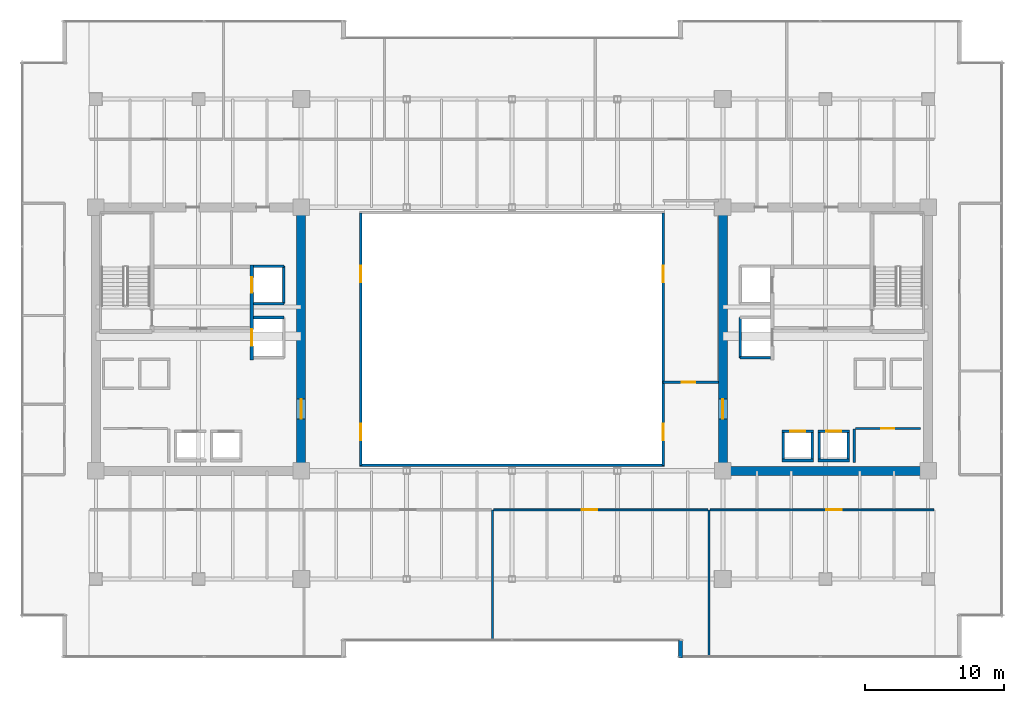
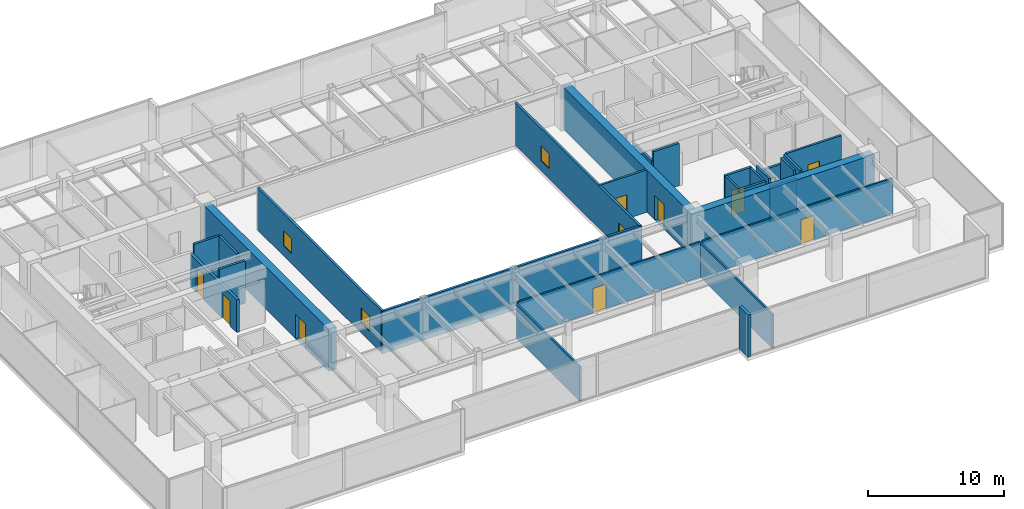
# One storey, part 26 of 34: 29 walls, 10 doors, 4 windows, 14 openings.
"""IFC4 building model written with IfcOpenShell, lengths in metres."""

from ifc_helpers import new_model, si_unit, direction, frame, frame_2d, origin, place, context, subcontext, project, spatial, rectangle, extrude, source, transform, mapped, material, layer, layer_set, type_object, type_shapes, element, fill, save


model = new_model("IFC4")

# Units and contexts
model_context = context("Model", 3, precision=1e-05, world=origin(), true_north=direction((0.0, 1.0)))
body_context = subcontext(model_context, "Body", "Model", "MODEL_VIEW")
ifc_project = project(units=[si_unit("LENGTHUNIT", "METRE"), si_unit("AREAUNIT", "SQUARE_METRE"), si_unit("VOLUMEUNIT", "CUBIC_METRE"), si_unit("PLANEANGLEUNIT", "RADIAN"), si_unit("MASSUNIT", "GRAM", prefix="KILO")], contexts=[model_context])

# Site, building, storey
site_placement = place(None, origin())
site = spatial("IfcSite", under=ifc_project, at=site_placement, CompositionType="ELEMENT")
building_placement = place(site_placement, origin())
building = spatial("IfcBuilding", under=site, at=building_placement, Name="Haelvirn Gate Laboratories", CompositionType="ELEMENT")
storey_placement = place(building_placement, frame((0.0, 0.0, 178.89990234375)))
storey = spatial("IfcBuildingStorey", under=building, at=storey_placement, Name="L43", CompositionType="ELEMENT", Elevation=178.89990234375)

# Walls
ifc_material_1 = material(Name="Thermally-broken bronze aluminium rainscreen & mineral wool", Category="aluminium")
ifc_layer_1 = layer(ifc_material_1, 0.280029296875, Name="EW-TERR-280")
ifc_layer_set_1 = layer_set([ifc_layer_1], Name="Thermally-broken bronze aluminium rainscreen & mineral wool")
wall_type_1 = type_object("IfcWallType", Name="EW-TERR-280", PredefinedType="STANDARD", material=ifc_layer_set_1)
wall_1_placement = place(storey_placement, frame((49.5400390625, 2.587890625, 0.0), z_axis=(0.0, 0.0, 1.0), x_axis=(0.0, -1.0, 0.0)))
element("IfcWall", 1, at=wall_1_placement, inside=storey, type_object=wall_type_1, Name="L43 Atrium Recess Bronze Return Wall 03", PredefinedType="STANDARD", context=body_context, shape_type="SweptSolid", body=[
    extrude(rectangle(XDim=1.287841796875, YDim=0.280029296875, at=frame_2d((0.64404296875, 0.0))), origin(), (0.0, 0.0, 1.0), 3.7900390625),
])
ifc_material_2 = material(Name="Double-layer acoustic gypsum laboratory partition", Category="gypsum")
ifc_layer_2 = layer(ifc_material_2, 0.159912109375, Name="IW-ACOUST-160")
ifc_layer_set_2 = layer_set([ifc_layer_2], Name="Double-layer acoustic gypsum laboratory partition")
wall_type_2 = type_object("IfcWallType", Name="IW-ACOUST-160", PredefinedType="PARTITIONING", material=ifc_layer_set_2)
wall_2_placement = place(storey_placement, frame((36.0, 2.610107421875, 0.0), z_axis=(0.0, 0.0, 1.0), x_axis=(0.0, 1.0, 0.0)))
element("IfcWall", 2, at=wall_2_placement, inside=storey, type_object=wall_type_2, Name="L43 Interior Wall IW-L43-SDIV-02", PredefinedType="PARTITIONING", context=body_context, shape_type="SweptSolid", body=[
    extrude(rectangle(XDim=9.3798828125, YDim=0.159912109375, at=frame_2d((4.68994140625, 0.0))), origin(), (0.0, 0.0, 1.0), 3.0751953125),
])
wall_3_placement = place(storey_placement, frame((51.60009765625, 1.409912109375, 0.0), z_axis=(0.0, 0.0, 1.0), x_axis=(0.0, 1.0, 0.0)))
element("IfcWall", 3, at=wall_3_placement, inside=storey, type_object=wall_type_2, Name="L43 Interior Wall IW-L43-SDIV-03", PredefinedType="PARTITIONING", context=body_context, shape_type="SweptSolid", body=[
    extrude(rectangle(XDim=10.580078125, YDim=0.159912109375, at=frame_2d((5.2900390625, 0.0))), origin(), (0.0, 0.0, 1.0), 3.0751953125),
])

# Wall, opening, door
ifc_material_3 = material(Name="Fire-rated acoustic gypsum board partition", Category="gypsum")
ifc_layer_3 = layer(ifc_material_3, 0.175048828125, Name="IW-ACOUST-180")
ifc_layer_set_3 = layer_set([ifc_layer_3], Name="Fire-rated acoustic gypsum board partition")
wall_type_3 = type_object("IfcWallType", Name="IW-ACOUST-180", PredefinedType="PARTITIONING", material=ifc_layer_set_3)
wall_4_placement = place(storey_placement, frame((48.300048828125, 21.179931640625, 0.0), z_axis=(0.0, 0.0, 1.0), x_axis=(1.0, 0.0, 0.0)))
wall_4 = element("IfcWall", 4, at=wall_4_placement, inside=storey, type_object=wall_type_3, Name="L43 Interior Wall IW-L43-ASEM-S", PredefinedType="PARTITIONING", context=body_context, shape_type="SweptSolid", body=[
    extrude(rectangle(XDim=3.974853515625, YDim=0.175048828125, at=frame_2d((1.9873046875, 0.0))), origin(), (0.0, 0.0, 1.0), 3.7900390625),
])
opening_1_placement = place(wall_4_placement, frame((1.35009765625, 0.0, 0.0)))
opening_1 = element("IfcOpeningElement", 5, at=opening_1_placement, cuts=wall_4, Name="Opening FD4", PredefinedType="OPENING", context=body_context, shape_type="SweptSolid", body=[
    extrude(rectangle(XDim=0.949951171875, YDim=2.14990234375, at=frame_2d((0.47509765625, 1.074951171875))), frame((0.0, 0.09765625, 0.0), z_axis=(0.0, -1.0, 0.0), x_axis=(1.0, 0.0, 0.0)), (0.0, 0.0, 1.0), 0.195068359375),
])
ifc_material_4 = material(Name="Fire-rated steel SM355 core service door", Category="steel")
door_type_1 = type_object("IfcDoorType", Name="DR-FD-950", OperationType="NOTDEFINED", PredefinedType="DOOR", material=ifc_material_4)
shared_shape_1 = source(origin(), body_context, "Body", "SweptSolid", [
    extrude(rectangle(XDim=0.949951171875, YDim=2.14990234375, at=frame_2d((0.47509765625, 1.074951171875))), frame((0.0, 0.02490234375, 0.0), z_axis=(0.0, -1.0, 0.0), x_axis=(1.0, 0.0, 0.0)), (0.0, 0.0, 1.0), 0.050048828125),
])
type_shapes(door_type_1, [shared_shape_1])
door_1_placement = place(opening_1_placement, origin())
door_1 = element("IfcDoor", 6, at=door_1_placement, inside=storey, type_object=door_type_1, Name="L43 Atrium Bioinformatics Suite Door", OperationType="SINGLE_SWING_LEFT", OverallHeight=2.14990234375, OverallWidth=0.949951171875, PredefinedType="DOOR", context=body_context, shape_type="MappedRepresentation", body=[
    mapped(shared_shape_1, transform((0.0, 0.0, 0.0), scale=1.0)),
])
fill(opening_1, door_1)

# Wall, openings, windows
ifc_material_5 = material(Name="Tempered fire-rated borosilicate glass & anodised aluminium", Category="aluminium")
ifc_layer_4 = layer(ifc_material_5, 0.195068359375, Name="IW-GLAZ-200")
ifc_layer_set_4 = layer_set([ifc_layer_4], Name="Tempered fire-rated borosilicate glass & anodised aluminium")
wall_type_4 = type_object("IfcWallType", Name="IW-GLAZ-200", PredefinedType="SOLIDWALL", material=ifc_layer_set_4)
wall_5_placement = place(storey_placement, frame((26.5, 15.199951171875, 0.0), z_axis=(0.0, 0.0, 1.0), x_axis=(0.0, 1.0, 0.0)))
wall_5 = element("IfcWall", 7, at=wall_5_placement, inside=storey, type_object=wall_type_4, Name="L43 Interior Wall IW-L43-ATRIUM-W", PredefinedType="SOLIDWALL", context=body_context, shape_type="SweptSolid", body=[
    extrude(rectangle(XDim=18.199951171875, YDim=0.195068359375, at=frame_2d((9.10009765625, 0.0))), origin(), (0.0, 0.0, 1.0), 3.7900390625),
])
opening_2_placement = place(wall_5_placement, frame((1.800048828125, 0.0, 0.89990234375)))
opening_2 = element("IfcOpeningElement", 8, at=opening_2_placement, cuts=wall_5, Name="Opening W6", PredefinedType="OPENING", context=body_context, shape_type="SweptSolid", body=[
    extrude(rectangle(XDim=1.199951171875, YDim=1.35009765625, at=frame_2d((0.60009765625, 0.675048828125))), frame((0.0, 0.107421875, 0.0), z_axis=(0.0, -1.0, 0.0), x_axis=(1.0, 0.0, 0.0)), (0.0, 0.0, 1.0), 0.215087890625),
])
opening_3_placement = place(wall_5_placement, frame((13.199951171875, 0.0, 0.89990234375)))
opening_3 = element("IfcOpeningElement", 9, at=opening_3_placement, cuts=wall_5, Name="Opening W6", PredefinedType="OPENING", context=body_context, shape_type="SweptSolid", body=[
    extrude(rectangle(XDim=1.199951171875, YDim=1.35009765625, at=frame_2d((0.60009765625, 0.675048828125))), frame((0.0, 0.107421875, 0.0), z_axis=(0.0, -1.0, 0.0), x_axis=(1.0, 0.0, 0.0)), (0.0, 0.0, 1.0), 0.215087890625),
])
ifc_material_6 = material(Name="Fire-rated EI 120 borosilicate atrium vision glazing", Category="glass")
window_type = type_object("IfcWindowType", Name="WN-ATR-1200", PartitioningType="SINGLE_PANEL", PredefinedType="WINDOW", material=ifc_material_6)
shared_shape_2 = source(origin(), body_context, "Body", "SweptSolid", [
    extrude(rectangle(XDim=1.199951171875, YDim=1.35009765625, at=frame_2d((0.60009765625, 0.675048828125))), frame((0.0, 0.030029296875, 0.0), z_axis=(0.0, -1.0, 0.0), x_axis=(1.0, 0.0, 0.0)), (0.0, 0.0, 1.0), 0.06005859375),
])
type_shapes(window_type, [shared_shape_2])
window_1_placement = place(opening_2_placement, origin())
window_1 = element("IfcWindow", 10, at=window_1_placement, inside=storey, type_object=window_type, Name="L43 Atrium Observation Window 1", OverallHeight=1.35009765625, OverallWidth=1.199951171875, PartitioningType="SINGLE_PANEL", PredefinedType="WINDOW", context=body_context, shape_type="MappedRepresentation", body=[
    mapped(shared_shape_2, transform((0.0, 0.0, 0.0), scale=1.0)),
])
fill(opening_2, window_1)
window_2_placement = place(opening_3_placement, origin())
window_2 = element("IfcWindow", 11, at=window_2_placement, inside=storey, type_object=window_type, Name="L43 Atrium Observation Window 2", OverallHeight=1.35009765625, OverallWidth=1.199951171875, PartitioningType="SINGLE_PANEL", PredefinedType="WINDOW", context=body_context, shape_type="MappedRepresentation", body=[
    mapped(shared_shape_2, transform((0.0, 0.0, 0.0), scale=1.0)),
])
fill(opening_3, window_2)

wall_6_placement = place(storey_placement, frame((48.300048828125, 15.199951171875, 0.0), z_axis=(0.0, 0.0, 1.0), x_axis=(0.0, 1.0, 0.0)))
wall_6 = element("IfcWall", 12, at=wall_6_placement, inside=storey, type_object=wall_type_4, Name="L43 Interior Wall IW-L43-ATRIUM-E", PredefinedType="SOLIDWALL", context=body_context, shape_type="SweptSolid", body=[
    extrude(rectangle(XDim=18.199951171875, YDim=0.195068359375, at=frame_2d((9.10009765625, 0.0))), origin(), (0.0, 0.0, 1.0), 3.7900390625),
])
opening_4_placement = place(wall_6_placement, frame((1.800048828125, 0.0, 0.89990234375)))
opening_4 = element("IfcOpeningElement", 13, at=opening_4_placement, cuts=wall_6, Name="Opening W6", PredefinedType="OPENING", context=body_context, shape_type="SweptSolid", body=[
    extrude(rectangle(XDim=1.199951171875, YDim=1.35009765625, at=frame_2d((0.60009765625, 0.675048828125))), frame((0.0, 0.107421875, 0.0), z_axis=(0.0, -1.0, 0.0), x_axis=(1.0, 0.0, 0.0)), (0.0, 0.0, 1.0), 0.215087890625),
])
opening_5_placement = place(wall_6_placement, frame((13.199951171875, 0.0, 0.89990234375)))
opening_5 = element("IfcOpeningElement", 14, at=opening_5_placement, cuts=wall_6, Name="Opening W6", PredefinedType="OPENING", context=body_context, shape_type="SweptSolid", body=[
    extrude(rectangle(XDim=1.199951171875, YDim=1.35009765625, at=frame_2d((0.60009765625, 0.675048828125))), frame((0.0, 0.107421875, 0.0), z_axis=(0.0, -1.0, 0.0), x_axis=(1.0, 0.0, 0.0)), (0.0, 0.0, 1.0), 0.215087890625),
])
window_3_placement = place(opening_4_placement, origin())
window_3 = element("IfcWindow", 15, at=window_3_placement, inside=storey, type_object=window_type, Name="L43 Atrium Observation Window 1", OverallHeight=1.35009765625, OverallWidth=1.199951171875, PartitioningType="SINGLE_PANEL", PredefinedType="WINDOW", context=body_context, shape_type="MappedRepresentation", body=[
    mapped(shared_shape_2, transform((0.0, 0.0, 0.0), scale=1.0)),
])
fill(opening_4, window_3)
window_4_placement = place(opening_5_placement, origin())
window_4 = element("IfcWindow", 16, at=window_4_placement, inside=storey, type_object=window_type, Name="L43 Atrium Observation Window 2", OverallHeight=1.35009765625, OverallWidth=1.199951171875, PartitioningType="SINGLE_PANEL", PredefinedType="WINDOW", context=body_context, shape_type="MappedRepresentation", body=[
    mapped(shared_shape_2, transform((0.0, 0.0, 0.0), scale=1.0)),
])
fill(opening_5, window_4)

# Wall
wall_7_placement = place(storey_placement, frame((26.39990234375, 15.199951171875, 0.0), z_axis=(0.0, 0.0, 1.0), x_axis=(1.0, 0.0, 0.0)))
element("IfcWall", 17, at=wall_7_placement, inside=storey, type_object=wall_type_4, Name="L43 Interior Wall IW-L43-ATRIUM-S", PredefinedType="SOLIDWALL", context=body_context, shape_type="SweptSolid", body=[
    extrude(rectangle(XDim=22.0, YDim=0.195068359375, at=frame_2d((11.0, 0.0))), origin(), (0.0, 0.0, 1.0), 3.7900390625),
])

# Wall, opening, door
ifc_material_7 = material(Name="Acoustic mineral-wool gypsum board partition", Category="gypsum")
ifc_layer_5 = layer(ifc_material_7, 0.139892578125, Name="IW-PART-140")
ifc_layer_set_5 = layer_set([ifc_layer_5], Name="Acoustic mineral-wool gypsum board partition")
wall_type_5 = type_object("IfcWallType", Name="IW-PART-140", PredefinedType="PARTITIONING", material=ifc_layer_set_5)
wall_8_placement = place(storey_placement, frame((36.080078125, 11.989990234375, 0.0), z_axis=(0.0, 0.0, 1.0), x_axis=(1.0, 0.0, 0.0)))
wall_8 = element("IfcWall", 18, at=wall_8_placement, inside=storey, type_object=wall_type_5, Name="L43 Interior Wall IW-L43-SCORR-03", PredefinedType="PARTITIONING", context=body_context, shape_type="SweptSolid", body=[
    extrude(rectangle(XDim=15.43994140625, YDim=0.139892578125, at=frame_2d((7.719970703125, 0.0))), origin(), (0.0, 0.0, 1.0), 3.18701171875),
])
opening_6_placement = place(wall_8_placement, frame((6.3515625, 0.0, 0.0)))
opening_6 = element("IfcOpeningElement", 19, at=opening_6_placement, cuts=wall_8, Name="Opening D1", PredefinedType="OPENING", context=body_context, shape_type="SweptSolid", body=[
    extrude(rectangle(XDim=1.10009765625, YDim=2.179931640625, at=frame_2d((0.550048828125, 1.08984375))), frame((0.0, 0.080078125, 0.0), z_axis=(0.0, -1.0, 0.0), x_axis=(1.0, 0.0, 0.0)), (0.0, 0.0, 1.0), 0.159912109375),
])
ifc_material_8 = material(Name="Vision-panel acoustic solid-core timber lab door", Category="wood")
door_type_2 = type_object("IfcDoorType", Name="DR-LAB-1100", OperationType="NOTDEFINED", PredefinedType="DOOR", material=ifc_material_8)
shared_shape_3 = source(origin(), body_context, "Body", "SweptSolid", [
    extrude(rectangle(XDim=1.10009765625, YDim=2.179931640625, at=frame_2d((0.550048828125, 1.08984375))), frame((0.0, 0.02490234375, 0.0), z_axis=(0.0, -1.0, 0.0), x_axis=(1.0, 0.0, 0.0)), (0.0, 0.0, 1.0), 0.050048828125),
])
type_shapes(door_type_2, [shared_shape_3])
door_2_placement = place(opening_6_placement, origin())
door_2 = element("IfcDoor", 20, at=door_2_placement, inside=storey, type_object=door_type_2, Name="L43 Cryo-EM Imaging Suite Door S3", OperationType="SINGLE_SWING_RIGHT", OverallHeight=2.179931640625, OverallWidth=1.10009765625, PredefinedType="DOOR", context=body_context, shape_type="MappedRepresentation", body=[
    mapped(shared_shape_3, transform((0.0, 0.0, 0.0), scale=1.0)),
])
fill(opening_6, door_2)

wall_9_placement = place(storey_placement, frame((51.679931640625, 11.989990234375, 0.0), z_axis=(0.0, 0.0, 1.0), x_axis=(1.0, 0.0, 0.0)))
wall_9 = element("IfcWall", 21, at=wall_9_placement, inside=storey, type_object=wall_type_5, Name="L43 Interior Wall IW-L43-SCORR-04", PredefinedType="PARTITIONING", context=body_context, shape_type="SweptSolid", body=[
    extrude(rectangle(XDim=16.14013671875, YDim=0.139892578125, at=frame_2d((8.070068359375, 0.0))), origin(), (0.0, 0.0, 1.0), 3.18701171875),
])
opening_7_placement = place(wall_9_placement, frame((8.38037109375, 0.0, 0.0)))
opening_7 = element("IfcOpeningElement", 22, at=opening_7_placement, cuts=wall_9, Name="Opening D1", PredefinedType="OPENING", context=body_context, shape_type="SweptSolid", body=[
    extrude(rectangle(XDim=1.10009765625, YDim=2.179931640625, at=frame_2d((0.550048828125, 1.08984375))), frame((0.0, 0.080078125, 0.0), z_axis=(0.0, -1.0, 0.0), x_axis=(1.0, 0.0, 0.0)), (0.0, 0.0, 1.0), 0.159912109375),
])
door_3_placement = place(opening_7_placement, origin())
door_3 = element("IfcDoor", 23, at=door_3_placement, inside=storey, type_object=door_type_2, Name="L43 Analytical Instrument Suite Door S4", OperationType="SINGLE_SWING_LEFT", OverallHeight=2.179931640625, OverallWidth=1.10009765625, PredefinedType="DOOR", context=body_context, shape_type="MappedRepresentation", body=[
    mapped(shared_shape_3, transform((0.0, 0.0, 0.0), scale=1.0)),
])
fill(opening_7, door_3)

# Walls
ifc_material_9 = material(Name="Concrete C40/50", Category="concrete")
ifc_layer_6 = layer(ifc_material_9, 0.179931640625, Name="IW-SHAFT-180")
ifc_layer_set_6 = layer_set([ifc_layer_6], Name="Concrete C40/50")
wall_type_6 = type_object("IfcWallType", Name="IW-SHAFT-180", PredefinedType="SOLIDWALL", material=ifc_layer_set_6)
for number, where, z_axis, x_axis, name in (
    (24, (59.550048828125, 15.64990234375, 0.0), (0.0, 0.0, 1.0), (0.0, 1.0, 0.0), "L43 Interior Wall IW-L43-PL7-SD"),
    (25, (61.64990234375, 15.64990234375, 0.0), (0.0, 0.0, 1.0), (0.0, 1.0, 0.0), "L43 Interior Wall IW-L43-PL7-SDE"),
    (26, (56.949951171875, 15.64990234375, 0.0), (0.0, 0.0, 1.0), (0.0, 1.0, 0.0), "L43 Interior Wall IW-L43-PL8-SD"),
    (27, (59.050048828125, 15.64990234375, 0.0), (0.0, 0.0, 1.0), (0.0, 1.0, 0.0), "L43 Interior Wall IW-L43-PL8-SDE"),
):
    element("IfcWall", number, at=place(storey_placement, frame(where, z_axis=z_axis, x_axis=x_axis)), inside=storey, type_object=wall_type_6, Name=name, PredefinedType="SOLIDWALL", context=body_context, shape_type="SweptSolid", body=[
        extrude(rectangle(XDim=1.900146484375, YDim=0.179931640625, at=frame_2d((0.9501953125, 0.0))), origin(), (0.0, 0.0, 1.0), 3.7900390625),
    ])

# Wall, opening, door
wall_10_placement = place(storey_placement, frame((62.14990234375, 17.85009765625, 0.0), z_axis=(0.0, 0.0, 1.0), x_axis=(1.0, 0.0, 0.0)))
wall_10 = element("IfcWall", 28, at=wall_10_placement, inside=storey, type_object=wall_type_6, Name="L43 Interior Wall IW-L43-E-FREED-LN-1", PredefinedType="SOLIDWALL", context=body_context, shape_type="SweptSolid", body=[
    extrude(rectangle(XDim=4.7001953125, YDim=0.179931640625, at=frame_2d((2.35009765625, 0.0))), origin(), (0.0, 0.0, 1.0), 3.7900390625),
])
opening_8_placement = place(wall_10_placement, frame((1.875, 0.0, 0.0)))
opening_8 = element("IfcOpeningElement", 29, at=opening_8_placement, cuts=wall_10, Name="Opening FD4", PredefinedType="OPENING", context=body_context, shape_type="SweptSolid", body=[
    extrude(rectangle(XDim=0.949951171875, YDim=2.14990234375, at=frame_2d((0.47509765625, 1.074951171875))), frame((0.0, 0.10009765625, 0.0), z_axis=(0.0, -1.0, 0.0), x_axis=(1.0, 0.0, 0.0)), (0.0, 0.0, 1.0), 0.199951171875),
])
door_4_placement = place(opening_8_placement, origin())
door_4 = element("IfcDoor", 30, at=door_4_placement, inside=storey, type_object=door_type_1, Name="L43 Cryogenic Specimen Biobank Door", OperationType="SINGLE_SWING_LEFT", OverallHeight=2.14990234375, OverallWidth=0.949951171875, PredefinedType="DOOR", context=body_context, shape_type="MappedRepresentation", body=[
    mapped(shared_shape_1, transform((0.0, 0.0, 0.0), scale=1.0)),
])
fill(opening_8, door_4)

# Walls
wall_11_placement = place(storey_placement, frame((62.06005859375, 15.39990234375, 0.0), z_axis=(0.0, 0.0, 1.0), x_axis=(0.0, 1.0, 0.0)))
element("IfcWall", 31, at=wall_11_placement, inside=storey, type_object=wall_type_6, Name="L43 Interior Wall IW-L43-E-FREED-LE-1", PredefinedType="SOLIDWALL", context=body_context, shape_type="SweptSolid", body=[
    extrude(rectangle(XDim=2.400146484375, YDim=0.179931640625, at=frame_2d((1.2001953125, 0.0))), origin(), (0.0, 0.0, 1.0), 3.7900390625),
])
ifc_layer_7 = layer(ifc_material_9, 0.199951171875, Name="IW-SHAFT-200")
ifc_layer_set_7 = layer_set([ifc_layer_7], Name="Concrete C40/50")
wall_type_7 = type_object("IfcWallType", Name="IW-SHAFT-200", PredefinedType="SOLIDWALL", material=ifc_layer_set_7)
wall_12_placement = place(storey_placement, frame((20.949951171875, 26.85009765625, 0.0), z_axis=(0.0, 0.0, 1.0), x_axis=(0.0, 1.0, 0.0)))
element("IfcWall", 32, at=wall_12_placement, inside=storey, type_object=wall_type_7, Name="L43 Interior Wall IW-L43-FL1-BK", PredefinedType="SOLIDWALL", context=body_context, shape_type="SweptSolid", body=[
    extrude(rectangle(XDim=2.699951171875, YDim=0.199951171875, at=frame_2d((1.35009765625, 0.0))), origin(), (0.0, 0.0, 1.0), 3.7900390625),
])
wall_13_placement = place(storey_placement, frame((18.760009765625, 29.550048828125, 0.0), z_axis=(0.0, 0.0, 1.0), x_axis=(1.0, 0.0, 0.0)))
element("IfcWall", 33, at=wall_13_placement, inside=storey, type_object=wall_type_7, Name="L43 Interior Wall IW-L43-FL1-N", PredefinedType="SOLIDWALL", context=body_context, shape_type="SweptSolid", body=[
    extrude(rectangle(XDim=2.18994140625, YDim=0.199951171875, at=frame_2d((1.094970703125, 0.0))), origin(), (0.0, 0.0, 1.0), 3.7900390625),
])
wall_14_placement = place(storey_placement, frame((18.760009765625, 26.85009765625, 0.0), z_axis=(0.0, 0.0, 1.0), x_axis=(1.0, 0.0, 0.0)))
element("IfcWall", 34, at=wall_14_placement, inside=storey, type_object=wall_type_7, Name="L43 Interior Wall IW-L43-FL1-S", PredefinedType="SOLIDWALL", context=body_context, shape_type="SweptSolid", body=[
    extrude(rectangle(XDim=2.18994140625, YDim=0.199951171875, at=frame_2d((1.094970703125, 0.0))), origin(), (0.0, 0.0, 1.0), 3.18701171875),
])
wall_15_placement = place(storey_placement, frame((18.760009765625, 25.85009765625, 0.0), z_axis=(0.0, 0.0, 1.0), x_axis=(1.0, 0.0, 0.0)))
element("IfcWall", 35, at=wall_15_placement, inside=storey, type_object=wall_type_7, Name="L43 Interior Wall IW-L43-SL1-N", PredefinedType="SOLIDWALL", context=body_context, shape_type="SweptSolid", body=[
    extrude(rectangle(XDim=2.18994140625, YDim=0.199951171875, at=frame_2d((1.094970703125, 0.0))), origin(), (0.0, 0.0, 1.0), 3.7900390625),
])

# Wall, opening, door
wall_16_placement = place(storey_placement, frame((59.469970703125, 17.64990234375, 0.0), z_axis=(0.0, 0.0, 1.0), x_axis=(1.0, 0.0, 0.0)))
wall_16 = element("IfcWall", 36, at=wall_16_placement, inside=storey, type_object=wall_type_7, Name="L43 Interior Wall IW-L43-PL7-FR", PredefinedType="SOLIDWALL", context=body_context, shape_type="SweptSolid", body=[
    extrude(rectangle(XDim=2.260009765625, YDim=0.199951171875, at=frame_2d((1.1298828125, 0.0))), origin(), (0.0, 0.0, 1.0), 3.18701171875),
])
opening_9_placement = place(wall_16_placement, frame((0.580078125, 0.0, 0.0)))
opening_9 = element("IfcOpeningElement", 37, at=opening_9_placement, cuts=wall_16, Name="Opening LD2", PredefinedType="OPENING", context=body_context, shape_type="SweptSolid", body=[
    extrude(rectangle(XDim=1.10009765625, YDim=2.219970703125, at=frame_2d((0.550048828125, 1.10986328125))), frame((0.0, 0.10986328125, 0.0), z_axis=(0.0, -1.0, 0.0), x_axis=(1.0, 0.0, 0.0)), (0.0, 0.0, 1.0), 0.219970703125),
])
ifc_material_10 = material(Name="Bronze stainless 316L sliding lift landing door")
door_type_3 = type_object("IfcDoorType", Name="DR-LD-1100", OperationType="NOTDEFINED", PredefinedType="USERDEFINED", material=ifc_material_10)
shared_shape_4 = source(origin(), body_context, "Body", "SweptSolid", [
    extrude(rectangle(XDim=1.10009765625, YDim=2.219970703125, at=frame_2d((0.550048828125, 1.10986328125))), frame((0.0, 0.02490234375, 0.0), z_axis=(0.0, -1.0, 0.0), x_axis=(1.0, 0.0, 0.0)), (0.0, 0.0, 1.0), 0.050048828125),
])
type_shapes(door_type_3, [shared_shape_4])
door_5_placement = place(opening_9_placement, origin())
door_5 = element("IfcDoor", 38, at=door_5_placement, inside=storey, type_object=door_type_3, Name="L43 Passenger Lift PL7 Landing Door", ObjectType="LANDING_DOOR", OperationType="SLIDING_TO_LEFT", OverallHeight=2.219970703125, OverallWidth=1.10009765625, PredefinedType="USERDEFINED", context=body_context, shape_type="MappedRepresentation", body=[
    mapped(shared_shape_4, transform((0.0, 0.0, 0.0), scale=1.0)),
])
fill(opening_9, door_5)

# Wall
wall_17_placement = place(storey_placement, frame((59.469970703125, 15.550048828125, 0.0), z_axis=(0.0, 0.0, 1.0), x_axis=(1.0, 0.0, 0.0)))
element("IfcWall", 39, at=wall_17_placement, inside=storey, type_object=wall_type_7, Name="L43 Interior Wall IW-L43-PL7-BK", PredefinedType="SOLIDWALL", context=body_context, shape_type="SweptSolid", body=[
    extrude(rectangle(XDim=2.260009765625, YDim=0.199951171875, at=frame_2d((1.1298828125, 0.0))), origin(), (0.0, 0.0, 1.0), 3.18701171875),
])

# Wall, opening, door
wall_18_placement = place(storey_placement, frame((56.8701171875, 17.64990234375, 0.0), z_axis=(0.0, 0.0, 1.0), x_axis=(1.0, 0.0, 0.0)))
wall_18 = element("IfcWall", 40, at=wall_18_placement, inside=storey, type_object=wall_type_7, Name="L43 Interior Wall IW-L43-PL8-FR", PredefinedType="SOLIDWALL", context=body_context, shape_type="SweptSolid", body=[
    extrude(rectangle(XDim=2.259765625, YDim=0.199951171875, at=frame_2d((1.1298828125, 0.0))), origin(), (0.0, 0.0, 1.0), 3.7900390625),
])
opening_10_placement = place(wall_18_placement, frame((0.580078125, 0.0, 0.0)))
opening_10 = element("IfcOpeningElement", 41, at=opening_10_placement, cuts=wall_18, Name="Opening LD2", PredefinedType="OPENING", context=body_context, shape_type="SweptSolid", body=[
    extrude(rectangle(XDim=1.10009765625, YDim=2.219970703125, at=frame_2d((0.550048828125, 1.10986328125))), frame((0.0, 0.10986328125, 0.0), z_axis=(0.0, -1.0, 0.0), x_axis=(1.0, 0.0, 0.0)), (0.0, 0.0, 1.0), 0.219970703125),
])
door_6_placement = place(opening_10_placement, origin())
door_6 = element("IfcDoor", 42, at=door_6_placement, inside=storey, type_object=door_type_3, Name="L43 Passenger Lift PL8 Landing Door", ObjectType="LANDING_DOOR", OperationType="SLIDING_TO_RIGHT", OverallHeight=2.219970703125, OverallWidth=1.10009765625, PredefinedType="USERDEFINED", context=body_context, shape_type="MappedRepresentation", body=[
    mapped(shared_shape_4, transform((0.0, 0.0, 0.0), scale=1.0)),
])
fill(opening_10, door_6)

# Walls
wall_19_placement = place(storey_placement, frame((56.8701171875, 15.550048828125, 0.0), z_axis=(0.0, 0.0, 1.0), x_axis=(1.0, 0.0, 0.0)))
element("IfcWall", 43, at=wall_19_placement, inside=storey, type_object=wall_type_7, Name="L43 Interior Wall IW-L43-PL8-BK", PredefinedType="SOLIDWALL", context=body_context, shape_type="SweptSolid", body=[
    extrude(rectangle(XDim=2.259765625, YDim=0.199951171875, at=frame_2d((1.1298828125, 0.0))), origin(), (0.0, 0.0, 1.0), 3.7900390625),
])
wall_20_placement = place(storey_placement, frame((53.85009765625, 22.949951171875, 0.0), z_axis=(0.0, 0.0, 1.0), x_axis=(0.0, 1.0, 0.0)))
element("IfcWall", 44, at=wall_20_placement, inside=storey, type_object=wall_type_7, Name="L43 Interior Wall IW-L43-SL2-BK", PredefinedType="SOLIDWALL", context=body_context, shape_type="SweptSolid", body=[
    extrude(rectangle(XDim=2.900146484375, YDim=0.199951171875, at=frame_2d((1.4501953125, 0.0))), origin(), (0.0, 0.0, 1.0), 2.925048828125),
])
wall_21_placement = place(storey_placement, frame((53.85009765625, 22.949951171875, 0.0), z_axis=(0.0, 0.0, 1.0), x_axis=(1.0, 0.0, 0.0)))
element("IfcWall", 45, at=wall_21_placement, inside=storey, type_object=wall_type_7, Name="L43 Interior Wall IW-L43-SL2-S", PredefinedType="SOLIDWALL", context=body_context, shape_type="SweptSolid", body=[
    extrude(rectangle(XDim=2.18994140625, YDim=0.199951171875, at=frame_2d((1.094970703125, 0.0))), origin(), (0.0, 0.0, 1.0), 3.7900390625),
])

# Wall, openings, doors
ifc_layer_8 = layer(ifc_material_9, 0.239990234375, Name="IW-SHAFT-240")
ifc_layer_set_8 = layer_set([ifc_layer_8], Name="Concrete C40/50")
wall_type_8 = type_object("IfcWallType", Name="IW-SHAFT-240", PredefinedType="SOLIDWALL", material=ifc_layer_set_8)
wall_22_placement = place(storey_placement, frame((18.639892578125, 22.800048828125, 0.0), z_axis=(0.0, 0.0, 1.0), x_axis=(0.0, 1.0, 0.0)))
wall_22 = element("IfcWall", 46, at=wall_22_placement, inside=storey, type_object=wall_type_8, Name="L43 Interior Wall IW-L43-W-FF-E", PredefinedType="SOLIDWALL", context=body_context, shape_type="SweptSolid", body=[
    extrude(rectangle(XDim=6.849853515625, YDim=0.239990234375, at=frame_2d((3.4248046875, 0.0))), origin(), (0.0, 0.0, 1.0), 2.925048828125),
])
opening_11_placement = place(wall_22_placement, frame((4.85009765625, 0.0, 0.0)))
opening_11 = element("IfcOpeningElement", 47, at=opening_11_placement, cuts=wall_22, Name="Opening LD2", PredefinedType="OPENING", context=body_context, shape_type="SweptSolid", body=[
    extrude(rectangle(XDim=1.10009765625, YDim=2.219970703125, at=frame_2d((0.550048828125, 1.10986328125))), frame((0.0, 0.1298828125, 0.0), z_axis=(0.0, -1.0, 0.0), x_axis=(1.0, 0.0, 0.0)), (0.0, 0.0, 1.0), 0.260009765625),
])
opening_12_placement = place(wall_22_placement, frame((1.0, 0.0, 0.0)))
opening_12 = element("IfcOpeningElement", 48, at=opening_12_placement, cuts=wall_22, Name="Opening LD1", PredefinedType="OPENING", context=body_context, shape_type="SweptSolid", body=[
    extrude(rectangle(XDim=1.199951171875, YDim=2.219970703125, at=frame_2d((0.60009765625, 1.10986328125))), frame((0.0, 0.1298828125, 0.0), z_axis=(0.0, -1.0, 0.0), x_axis=(1.0, 0.0, 0.0)), (0.0, 0.0, 1.0), 0.260009765625),
])
door_7_placement = place(opening_11_placement, origin())
door_7 = element("IfcDoor", 49, at=door_7_placement, inside=storey, type_object=door_type_3, Name="L43 Firefighting Lift FL1 Landing Door", ObjectType="LANDING_DOOR", OperationType="SLIDING_TO_LEFT", OverallHeight=2.219970703125, OverallWidth=1.10009765625, PredefinedType="USERDEFINED", context=body_context, shape_type="MappedRepresentation", body=[
    mapped(shared_shape_4, transform((0.0, 0.0, 0.0), scale=1.0)),
])
fill(opening_11, door_7)
ifc_material_11 = material(Name="Stainless steel 316L sliding goods landing door", Category="steel")
door_type_4 = type_object("IfcDoorType", Name="DR-LD-1200", OperationType="NOTDEFINED", PredefinedType="USERDEFINED", material=ifc_material_11)
shared_shape_5 = source(origin(), body_context, "Body", "SweptSolid", [
    extrude(rectangle(XDim=1.199951171875, YDim=2.219970703125, at=frame_2d((0.60009765625, 1.10986328125))), frame((0.0, 0.02490234375, 0.0), z_axis=(0.0, -1.0, 0.0), x_axis=(1.0, 0.0, 0.0)), (0.0, 0.0, 1.0), 0.050048828125),
])
type_shapes(door_type_4, [shared_shape_5])
door_8_placement = place(opening_12_placement, origin())
door_8 = element("IfcDoor", 50, at=door_8_placement, inside=storey, type_object=door_type_4, Name="L43 Service Lift SL1 Landing Door", ObjectType="LANDING_DOOR", OperationType="SLIDING_TO_RIGHT", OverallHeight=2.219970703125, OverallWidth=1.199951171875, PredefinedType="USERDEFINED", context=body_context, shape_type="MappedRepresentation", body=[
    mapped(shared_shape_5, transform((0.0, 0.0, 0.0), scale=1.0)),
])
fill(opening_12, door_8)

# Wall, opening, door
ifc_material_12 = material(Name="Concrete C60/75", Category="concrete")
ifc_layer_9 = layer(ifc_material_12, 0.64990234375, Name="SW-CORE-650")
ifc_layer_set_9 = layer_set([ifc_layer_9], Name="Concrete C60/75")
wall_type_9 = type_object("IfcWallType", Name="SW-CORE-650", PredefinedType="SHEAR", material=ifc_layer_set_9)
wall_23_placement = place(storey_placement, frame((22.199951171875, 15.125, 0.0), z_axis=(0.0, 0.0, 1.0), x_axis=(0.0, 1.0, 0.0)))
wall_23 = element("IfcWall", 51, at=wall_23_placement, inside=storey, type_object=wall_type_9, Name="L43 W Core Shear Wall E", PredefinedType="SHEAR", context=body_context, shape_type="SweptSolid", body=[
    extrude(rectangle(XDim=18.35009765625, YDim=0.64990234375, at=frame_2d((9.175048828125, 0.0))), origin(), (0.0, 0.0, 1.0), 3.7900390625),
])
opening_13_placement = place(wall_23_placement, frame((3.425048828125, 0.0, 0.0)))
opening_13 = element("IfcOpeningElement", 52, at=opening_13_placement, cuts=wall_23, Name="Opening FD1", PredefinedType="OPENING", context=body_context, shape_type="SweptSolid", body=[
    extrude(rectangle(XDim=1.419921875, YDim=2.199951171875, at=frame_2d((0.7099609375, 1.10009765625))), frame((0.0, 0.3349609375, 0.0), z_axis=(0.0, -1.0, 0.0), x_axis=(1.0, 0.0, 0.0)), (0.0, 0.0, 1.0), 0.669921875),
])
ifc_material_13 = material(Name="Fire-rated double steel SM355 lobby door", Category="steel")
door_type_5 = type_object("IfcDoorType", Name="DR-FD-1400", OperationType="NOTDEFINED", PredefinedType="DOOR", material=ifc_material_13)
shared_shape_6 = source(origin(), body_context, "Body", "SweptSolid", [
    extrude(rectangle(XDim=1.419921875, YDim=2.199951171875, at=frame_2d((0.7099609375, 1.10009765625))), frame((0.0, 0.02490234375, 0.0), z_axis=(0.0, -1.0, 0.0), x_axis=(1.0, 0.0, 0.0)), (0.0, 0.0, 1.0), 0.050048828125),
])
type_shapes(door_type_5, [shared_shape_6])
door_9_placement = place(opening_13_placement, origin())
door_9 = element("IfcDoor", 53, at=door_9_placement, inside=storey, type_object=door_type_5, Name="L43 West Core Lift Lobby Fire Door", OperationType="DOUBLE_DOOR_SINGLE_SWING", OverallHeight=2.199951171875, OverallWidth=1.419921875, PredefinedType="DOOR", context=body_context, shape_type="MappedRepresentation", body=[
    mapped(shared_shape_6, transform((0.0, 0.0, 0.0), scale=1.0)),
])
fill(opening_13, door_9)

# Wall
wall_24_placement = place(storey_placement, frame((52.27490234375, 14.800048828125, 0.0), z_axis=(0.0, 0.0, 1.0), x_axis=(1.0, 0.0, 0.0)))
element("IfcWall", 54, at=wall_24_placement, inside=storey, type_object=wall_type_9, Name="L43 E Core Shear Wall S", PredefinedType="SHEAR", context=body_context, shape_type="SweptSolid", body=[
    extrude(rectangle(XDim=15.4501953125, YDim=0.64990234375, at=frame_2d((7.72509765625, 0.0))), origin(), (0.0, 0.0, 1.0), 3.7900390625),
])

# Wall, opening, door
wall_25_placement = place(storey_placement, frame((52.60009765625, 15.125, 0.0), z_axis=(0.0, 0.0, 1.0), x_axis=(0.0, 1.0, 0.0)))
wall_25 = element("IfcWall", 55, at=wall_25_placement, inside=storey, type_object=wall_type_9, Name="L43 E Core Shear Wall W", PredefinedType="SHEAR", context=body_context, shape_type="SweptSolid", body=[
    extrude(rectangle(XDim=18.35009765625, YDim=0.64990234375, at=frame_2d((9.175048828125, 0.0))), origin(), (0.0, 0.0, 1.0), 3.7900390625),
])
opening_14_placement = place(wall_25_placement, frame((3.425048828125, 0.0, 0.0)))
opening_14 = element("IfcOpeningElement", 56, at=opening_14_placement, cuts=wall_25, Name="Opening FD1", PredefinedType="OPENING", context=body_context, shape_type="SweptSolid", body=[
    extrude(rectangle(XDim=1.419921875, YDim=2.199951171875, at=frame_2d((0.7099609375, 1.10009765625))), frame((0.0, 0.3349609375, 0.0), z_axis=(0.0, -1.0, 0.0), x_axis=(1.0, 0.0, 0.0)), (0.0, 0.0, 1.0), 0.669921875),
])
door_10_placement = place(opening_14_placement, origin())
door_10 = element("IfcDoor", 57, at=door_10_placement, inside=storey, type_object=door_type_5, Name="L43 East Core Lift Lobby Fire Door", OperationType="DOUBLE_DOOR_SINGLE_SWING", OverallHeight=2.199951171875, OverallWidth=1.419921875, PredefinedType="DOOR", context=body_context, shape_type="MappedRepresentation", body=[
    mapped(shared_shape_6, transform((0.0, 0.0, 0.0), scale=1.0)),
])
fill(opening_14, door_10)

save(model, "model.ifc")
